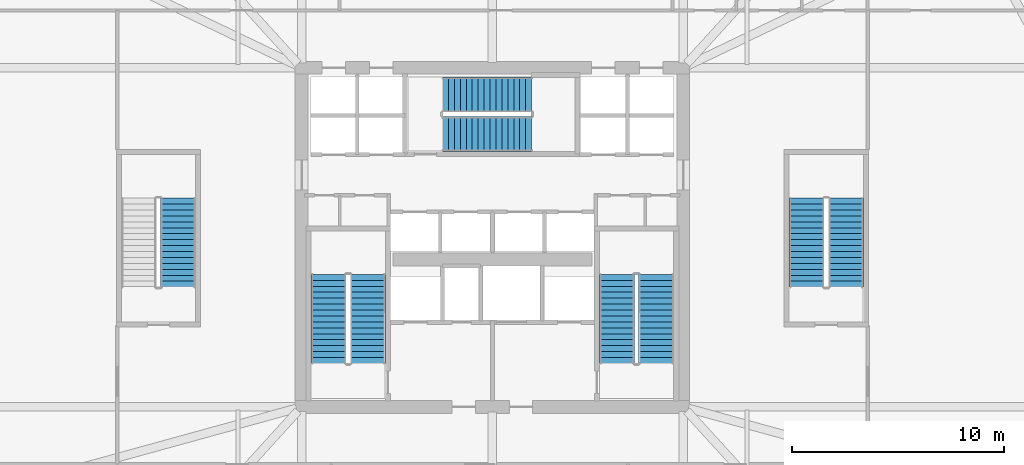
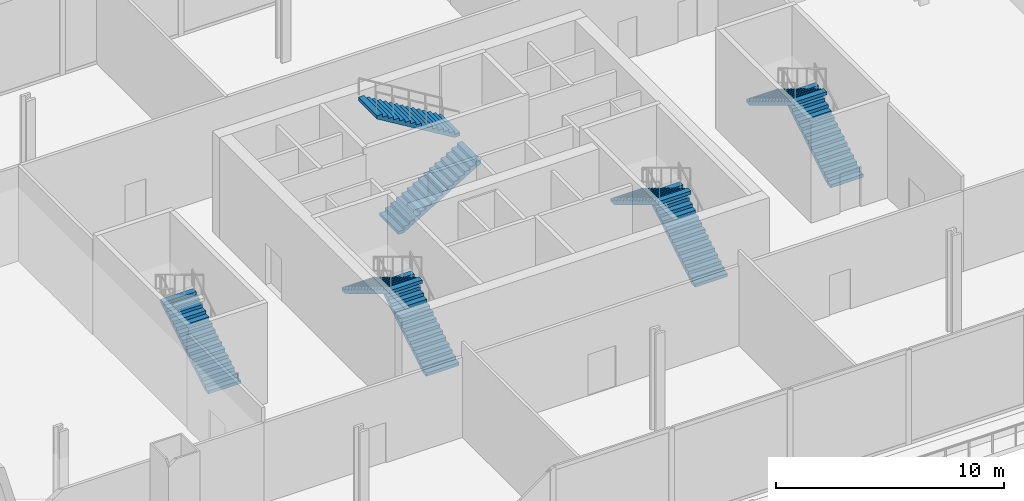
# One storey, part 13 of 20: 9 stair flights, 5 elements without a shape of their own.
"""IFC4 building model written with IfcOpenShell, lengths in metres."""

import ifcopenshell
import ifcopenshell.guid

model = None  # the IFC model being written
_history = None  # IfcOwnerHistory: only IFC2X3 demands one
_inside = {}  # id of a spatial element -> (the spatial element, [elements in it])
_under = {}  # id of a project, library or spatial element -> (it, [spatial elements below it])
_declared = {}  # id of a project -> (the project, [libraries it declares])
_typed = {}  # id of a type object -> (the type object, [elements of that type])
_made_of = {}  # id of a material, layer set ... -> (it, [elements and type objects made of it])


def new_model(schema):
    """Start an empty IFC model of exactly this schema.

    Asked for "IFC4X3", IfcOpenShell would pick the latest addendum, in which some entities
    have other attributes; the version numbers below select the first issue.
    IFC2X3 requires an IfcOwnerHistory on every rooted entity: one is made here for all.
    """
    global model, _history
    if schema == "IFC4X3":
        model = ifcopenshell.file(schema_version=(4, 3, 0, 0))
    else:
        model = ifcopenshell.file(schema=schema)
    _inside.clear()
    _under.clear()
    _declared.clear()
    _typed.clear()
    _made_of.clear()
    _history = None
    if model.schema == "IFC2X3":
        org = make("IfcOrganization", Name="unknown")
        user = make(
            "IfcPersonAndOrganization",
            ThePerson=make("IfcPerson", FamilyName="unknown"),
            TheOrganization=org,
        )
        app = make(
            "IfcApplication",
            ApplicationDeveloper=org,
            Version="unknown",
            ApplicationFullName="unknown",
            ApplicationIdentifier="unknown",
        )
        _history = make(
            "IfcOwnerHistory",
            OwningUser=user,
            OwningApplication=app,
            ChangeAction="ADDED",
            CreationDate=0,
        )
    return model


def make(cls, **values):
    """One entity of the class cls with the attributes given. An attribute that is None is left unset."""
    return model.create_entity(
        cls, **{name: value for name, value in values.items() if value is not None}
    )


def rooted(cls, **values):
    """An entity with a GlobalId (a new one), such as an element, a storey or a relation."""
    return make(cls, GlobalId=ifcopenshell.guid.new(), OwnerHistory=_history, **values)


def si_unit(unit_type, name, prefix=None):
    """IfcSIUnit, for example si_unit("LENGTHUNIT", "METRE", prefix="MILLI")."""
    return make("IfcSIUnit", UnitType=unit_type, Prefix=prefix, Name=name)


def assignment(units):
    """IfcUnitAssignment: the units of a project."""
    return None if units is None else make("IfcUnitAssignment", Units=units)


def point(xyz):
    """IfcCartesianPoint."""
    return None if xyz is None else make("IfcCartesianPoint", Coordinates=xyz)


def direction(xyz):
    """IfcDirection."""
    return None if xyz is None else make("IfcDirection", DirectionRatios=xyz)


def frame(location, z_axis=None, x_axis=None):
    """IfcAxis2Placement3D, a coordinate frame: its origin and axes. An axis left out is left unset."""
    return make(
        "IfcAxis2Placement3D",
        Location=point(location),
        Axis=direction(z_axis),
        RefDirection=direction(x_axis),
    )


def origin():
    """The frame at (0, 0, 0) with its axes left unset."""
    return frame((0.0, 0.0, 0.0))


def place(relative_to, where):
    """IfcLocalPlacement: puts the frame where relative to a parent placement (None: the world)."""
    return make(
        "IfcLocalPlacement", PlacementRelTo=relative_to, RelativePlacement=where
    )


def context(
    kind, dimensions, precision=None, world=None, true_north=None, identifier=None
):
    """IfcGeometricRepresentationContext, for example the 3D "Model" context."""
    return make(
        "IfcGeometricRepresentationContext",
        ContextIdentifier=identifier,
        ContextType=kind,
        CoordinateSpaceDimension=dimensions,
        Precision=precision,
        WorldCoordinateSystem=world,
        TrueNorth=true_north,
    )


def subcontext(parent, identifier, kind, view, scale=None):
    """IfcGeometricRepresentationSubContext, for example "Body" below "Model"."""
    return make(
        "IfcGeometricRepresentationSubContext",
        ContextIdentifier=identifier,
        ContextType=kind,
        ParentContext=parent,
        TargetScale=scale,
        TargetView=view,
    )


def project(units=None, contexts=None):
    """IfcProject with its units and contexts."""
    return rooted(
        "IfcProject",
        Name="project",
        RepresentationContexts=contexts,
        UnitsInContext=assignment(units),
    )


def spatial(cls, under=None, at=None, **own):
    """A site, building, storey or space (cls), placed at a placement, below another one or the project."""
    s = rooted(cls, ObjectPlacement=at, **own)
    if under is not None:
        _under.setdefault(under.id(), (under, []))[1].append(s)
    return s


def polyline(points):
    """IfcPolyline through the points."""
    return make("IfcPolyline", Points=[point(p) for p in points])


def outline(outer, holes=None, kind="AREA"):
    """IfcArbitraryClosedProfileDef: a profile drawn as a closed curve; with holes, ...WithVoids."""
    if holes is None:
        return make("IfcArbitraryClosedProfileDef", ProfileType=kind, OuterCurve=outer)
    return make(
        "IfcArbitraryProfileDefWithVoids",
        ProfileType=kind,
        OuterCurve=outer,
        InnerCurves=holes,
    )


def extrude(swept, where, along, depth):
    """IfcExtrudedAreaSolid: the profile swept, set in the frame where, extruded along a direction by depth."""
    return make(
        "IfcExtrudedAreaSolid",
        SweptArea=swept,
        Position=where,
        ExtrudedDirection=direction(along),
        Depth=depth,
    )


def shape(context_of_items, identifier, shape_type, items):
    """IfcShapeRepresentation: the items that make up one representation, for example the "Body"."""
    return make(
        "IfcShapeRepresentation",
        ContextOfItems=context_of_items,
        RepresentationIdentifier=identifier,
        RepresentationType=shape_type,
        Items=items,
    )


def material(Name=None, Category=None):
    """IfcMaterial."""
    return make("IfcMaterial", Name=Name, Category=Category)


def made_of(thing, what):
    """Note that an element or type object is made of a material, layer set ...; save() writes the relation."""
    if what is not None:
        _made_of.setdefault(what.id(), (what, []))[1].append(thing)
    return thing


def type_object(cls, material=None, **own):
    """A type object (cls), such as IfcWallType, which elements share."""
    return made_of(rooted(cls, **own), material)


def element(
    cls,
    number,
    at=None,
    inside=None,
    cuts=None,
    type_object=None,
    material=None,
    context=None,
    identifier="Body",
    shape_type=None,
    held_by="IfcProductDefinitionShape",
    body=None,
    shapes=None,
    **own,
):
    """One element of the class cls, such as IfcWall. Its Tag is "e" and its number.

    at: its placement. inside: the storey or other place that contains it. cuts: it is an
    opening in that element (IfcRelVoidsElement). A single representation is given by context,
    identifier, shape_type and body (its items); several are given by shapes. held_by: the class
    of the entity that holds the representations. save() writes the other relations.
    """
    e = rooted(cls, Tag="e%d" % number, ObjectPlacement=at, **own)
    if body is not None:
        shapes = [shape(context, identifier, shape_type, body)]
    if shapes is not None:
        e.Representation = make(held_by, Representations=shapes)
    if inside is not None:
        _inside.setdefault(inside.id(), (inside, []))[1].append(e)
    if cuts is not None:
        rooted(
            "IfcRelVoidsElement", RelatingBuildingElement=cuts, RelatedOpeningElement=e
        )
    if type_object is not None:
        _typed.setdefault(type_object.id(), (type_object, []))[1].append(e)
    return made_of(e, material)


def aggregate(whole, parts):
    """IfcRelAggregates: a whole, such as a stair, and the parts it consists of."""
    return rooted("IfcRelAggregates", RelatingObject=whole, RelatedObjects=parts)


def save(model, path):
    """Write the relations noted so far, then the file.

    IfcRelAggregates (storeys below a building ...), IfcRelContainedInSpatialStructure (elements
    in a storey), IfcRelDefinesByType, IfcRelAssociatesMaterial and IfcRelDeclares: one each for
    every whole, place, type object, material and project.
    """
    for whole, parts in _under.values():
        aggregate(whole, parts)
    for where, things in _inside.values():
        rooted(
            "IfcRelContainedInSpatialStructure",
            RelatedElements=things,
            RelatingStructure=where,
        )
    for kind, things in _typed.values():
        rooted("IfcRelDefinesByType", RelatedObjects=things, RelatingType=kind)
    for what, things in _made_of.values():
        rooted("IfcRelAssociatesMaterial", RelatedObjects=things, RelatingMaterial=what)
    for by, libraries in _declared.values():
        rooted("IfcRelDeclares", RelatingContext=by, RelatedDefinitions=libraries)
    model.write(path)


model = new_model("IFC4")

# Units and contexts
model_context = context("Model", 3, precision=1e-05, world=origin(), true_north=direction((0.0, 1.0)))
body_context = subcontext(model_context, "Body", "Model", "MODEL_VIEW")
ifc_project = project(units=[si_unit("LENGTHUNIT", "METRE"), si_unit("AREAUNIT", "SQUARE_METRE"), si_unit("VOLUMEUNIT", "CUBIC_METRE"), si_unit("PLANEANGLEUNIT", "RADIAN"), si_unit("MASSUNIT", "GRAM", prefix="KILO")], contexts=[model_context])

# Site, building, storey
site_placement = place(None, origin())
site = spatial("IfcSite", under=ifc_project, at=site_placement, CompositionType="ELEMENT")
building_placement = place(site_placement, origin())
building = spatial("IfcBuilding", under=site, at=building_placement, Name="Haldenkirk Collegiate Tower", CompositionType="ELEMENT")
storey_placement = place(building_placement, frame((0.0, 0.0, 6.0)))
storey = spatial("IfcBuildingStorey", under=building, at=storey_placement, Name="L01", CompositionType="ELEMENT", Elevation=6.0)

# Stair, stair flights
ifc_material = material(Name="Concrete f'c 40 MPa", Category="concrete")
stair_type = type_object("IfcStairType", Name="STR-DOGLEG-1650", PredefinedType="HALF_TURN_STAIR", material=ifc_material)
stair_1_placement = place(storey_placement, origin())
stair_1 = element("IfcStair", 1, at=stair_1_placement, inside=storey, type_object=stair_type, Name="L01 Core Exit Stair ST-1", PredefinedType="HALF_TURN_STAIR")
stair_flight_type = type_object("IfcStairFlightType", Name="STF-FLIGHT-1650", PredefinedType="STRAIGHT", material=ifc_material)
stair_flight_1_placement = place(storey_placement, frame((30.125, 20.050048828125, 0.0), z_axis=(0.0, 0.0, 1.0), x_axis=(0.0, 1.0, 0.0)))
stair_flight_1 = element("IfcStairFlight", 2, at=stair_flight_1_placement, type_object=stair_flight_type, Name="ST-1 flight 1", NumberOfRisers=16, NumberOfTreads=15, PredefinedType="STRAIGHT", RiserHeight=0.16875, TreadLength=0.28, context=body_context, shape_type="SweptSolid", body=[
    extrude(outline(polyline([(0.0, 0.0), (0.0, 0.168701171875), (0.280029296875, 0.168701171875), (0.280029296875, 0.33740234375), (0.56005859375, 0.33740234375), (0.56005859375, 0.50634765625), (0.840087890625, 0.50634765625), (0.840087890625, 0.675048828125), (1.1201171875, 0.675048828125), (1.1201171875, 0.84375), (1.39990234375, 0.84375), (1.39990234375, 1.012451171875), (1.679931640625, 1.012451171875), (1.679931640625, 1.18115234375), (1.9599609375, 1.18115234375), (1.9599609375, 1.35009765625), (2.239990234375, 1.35009765625), (2.239990234375, 1.518798828125), (2.52001953125, 1.518798828125), (2.52001953125, 1.6875), (2.800048828125, 1.6875), (2.800048828125, 1.856201171875), (3.080078125, 1.856201171875), (3.080078125, 2.02490234375), (3.360107421875, 2.02490234375), (3.360107421875, 2.19384765625), (3.639892578125, 2.19384765625), (3.639892578125, 2.362548828125), (3.919921875, 2.362548828125), (3.919921875, 2.53125), (4.199951171875, 2.53125), (4.199951171875, 2.699951171875), (4.199951171875, 2.356201171875), (0.29052734375, 0.0), (0.0, 0.0)])), frame((0.0, 0.824951171875, 0.0), z_axis=(0.0, -1.0, 0.0), x_axis=(1.0, 0.0, 0.0)), (0.0, 0.0, 1.0), 1.64990234375),
])
stair_flight_2_placement = place(storey_placement, frame((28.27490234375, 24.25, 2.699951171875), z_axis=(0.0, 0.0, 1.0), x_axis=(0.0, -1.0, 0.0)))
stair_flight_2 = element("IfcStairFlight", 3, at=stair_flight_2_placement, type_object=stair_flight_type, Name="ST-1 flight 2", NumberOfRisers=16, NumberOfTreads=15, PredefinedType="STRAIGHT", RiserHeight=0.16875, TreadLength=0.28, context=body_context, shape_type="SweptSolid", body=[
    extrude(outline(polyline([(0.0, 0.0), (0.0, 0.168701171875), (0.280029296875, 0.168701171875), (0.280029296875, 0.33740234375), (0.56005859375, 0.33740234375), (0.56005859375, 0.50634765625), (0.840087890625, 0.50634765625), (0.840087890625, 0.675048828125), (1.1201171875, 0.675048828125), (1.1201171875, 0.84375), (1.39990234375, 0.84375), (1.39990234375, 1.012451171875), (1.679931640625, 1.012451171875), (1.679931640625, 1.18115234375), (1.9599609375, 1.18115234375), (1.9599609375, 1.35009765625), (2.239990234375, 1.35009765625), (2.239990234375, 1.518798828125), (2.52001953125, 1.518798828125), (2.52001953125, 1.6875), (2.800048828125, 1.6875), (2.800048828125, 1.856201171875), (3.080078125, 1.856201171875), (3.080078125, 2.02490234375), (3.360107421875, 2.02490234375), (3.360107421875, 2.19384765625), (3.639892578125, 2.19384765625), (3.639892578125, 2.362548828125), (3.919921875, 2.362548828125), (3.919921875, 2.53125), (4.199951171875, 2.53125), (4.199951171875, 2.699951171875), (4.199951171875, 2.356201171875), (0.29052734375, 0.0), (0.0, 0.0)])), frame((0.0, 0.824951171875, 0.0), z_axis=(0.0, -1.0, 0.0), x_axis=(1.0, 0.0, 0.0)), (0.0, 0.0, 1.0), 1.64990234375),
])
aggregate(stair_1, [stair_flight_1, stair_flight_2])

stair_2_placement = place(storey_placement, origin())
stair_2 = element("IfcStair", 4, at=stair_2_placement, inside=storey, type_object=stair_type, Name="L01 Core Exit Stair ST-2", PredefinedType="HALF_TURN_STAIR")
stair_flight_3_placement = place(storey_placement, frame((43.72509765625, 20.050048828125, 0.0), z_axis=(0.0, 0.0, 1.0), x_axis=(0.0, 1.0, 0.0)))
stair_flight_3 = element("IfcStairFlight", 5, at=stair_flight_3_placement, type_object=stair_flight_type, Name="ST-2 flight 1", NumberOfRisers=16, NumberOfTreads=15, PredefinedType="STRAIGHT", RiserHeight=0.16875, TreadLength=0.28, context=body_context, shape_type="SweptSolid", body=[
    extrude(outline(polyline([(0.0, 0.0), (0.0, 0.168701171875), (0.280029296875, 0.168701171875), (0.280029296875, 0.33740234375), (0.56005859375, 0.33740234375), (0.56005859375, 0.50634765625), (0.840087890625, 0.50634765625), (0.840087890625, 0.675048828125), (1.1201171875, 0.675048828125), (1.1201171875, 0.84375), (1.39990234375, 0.84375), (1.39990234375, 1.012451171875), (1.679931640625, 1.012451171875), (1.679931640625, 1.18115234375), (1.9599609375, 1.18115234375), (1.9599609375, 1.35009765625), (2.239990234375, 1.35009765625), (2.239990234375, 1.518798828125), (2.52001953125, 1.518798828125), (2.52001953125, 1.6875), (2.800048828125, 1.6875), (2.800048828125, 1.856201171875), (3.080078125, 1.856201171875), (3.080078125, 2.02490234375), (3.360107421875, 2.02490234375), (3.360107421875, 2.19384765625), (3.639892578125, 2.19384765625), (3.639892578125, 2.362548828125), (3.919921875, 2.362548828125), (3.919921875, 2.53125), (4.199951171875, 2.53125), (4.199951171875, 2.699951171875), (4.199951171875, 2.356201171875), (0.29052734375, 0.0), (0.0, 0.0)])), frame((0.0, 0.824951171875, 0.0), z_axis=(0.0, -1.0, 0.0), x_axis=(1.0, 0.0, 0.0)), (0.0, 0.0, 1.0), 1.64990234375),
])
stair_flight_4_placement = place(storey_placement, frame((41.875, 24.25, 2.699951171875), z_axis=(0.0, 0.0, 1.0), x_axis=(0.0, -1.0, 0.0)))
stair_flight_4 = element("IfcStairFlight", 6, at=stair_flight_4_placement, type_object=stair_flight_type, Name="ST-2 flight 2", NumberOfRisers=16, NumberOfTreads=15, PredefinedType="STRAIGHT", RiserHeight=0.16875, TreadLength=0.28, context=body_context, shape_type="SweptSolid", body=[
    extrude(outline(polyline([(0.0, 0.0), (0.0, 0.168701171875), (0.280029296875, 0.168701171875), (0.280029296875, 0.33740234375), (0.56005859375, 0.33740234375), (0.56005859375, 0.50634765625), (0.840087890625, 0.50634765625), (0.840087890625, 0.675048828125), (1.1201171875, 0.675048828125), (1.1201171875, 0.84375), (1.39990234375, 0.84375), (1.39990234375, 1.012451171875), (1.679931640625, 1.012451171875), (1.679931640625, 1.18115234375), (1.9599609375, 1.18115234375), (1.9599609375, 1.35009765625), (2.239990234375, 1.35009765625), (2.239990234375, 1.518798828125), (2.52001953125, 1.518798828125), (2.52001953125, 1.6875), (2.800048828125, 1.6875), (2.800048828125, 1.856201171875), (3.080078125, 1.856201171875), (3.080078125, 2.02490234375), (3.360107421875, 2.02490234375), (3.360107421875, 2.19384765625), (3.639892578125, 2.19384765625), (3.639892578125, 2.362548828125), (3.919921875, 2.362548828125), (3.919921875, 2.53125), (4.199951171875, 2.53125), (4.199951171875, 2.699951171875), (4.199951171875, 2.356201171875), (0.29052734375, 0.0), (0.0, 0.0)])), frame((0.0, 0.824951171875, 0.0), z_axis=(0.0, -1.0, 0.0), x_axis=(1.0, 0.0, 0.0)), (0.0, 0.0, 1.0), 1.64990234375),
])
aggregate(stair_2, [stair_flight_3, stair_flight_4])

stair_3_placement = place(storey_placement, origin())
stair_3 = element("IfcStair", 7, at=stair_3_placement, inside=storey, type_object=stair_type, Name="L01 Core Exit Stair ST-3", PredefinedType="HALF_TURN_STAIR")
stair_flight_5_placement = place(storey_placement, frame((33.64990234375, 30.875, 0.0), z_axis=(0.0, 0.0, 1.0), x_axis=(1.0, 0.0, 0.0)))
stair_flight_5 = element("IfcStairFlight", 8, at=stair_flight_5_placement, type_object=stair_flight_type, Name="ST-3 flight 1", NumberOfRisers=16, NumberOfTreads=15, PredefinedType="STRAIGHT", RiserHeight=0.16875, TreadLength=0.28, context=body_context, shape_type="SweptSolid", body=[
    extrude(outline(polyline([(0.0, 0.0), (0.0, 0.168701171875), (0.280029296875, 0.168701171875), (0.280029296875, 0.33740234375), (0.56005859375, 0.33740234375), (0.56005859375, 0.50634765625), (0.840087890625, 0.50634765625), (0.840087890625, 0.675048828125), (1.1201171875, 0.675048828125), (1.1201171875, 0.84375), (1.39990234375, 0.84375), (1.39990234375, 1.012451171875), (1.679931640625, 1.012451171875), (1.679931640625, 1.18115234375), (1.9599609375, 1.18115234375), (1.9599609375, 1.35009765625), (2.239990234375, 1.35009765625), (2.239990234375, 1.518798828125), (2.52001953125, 1.518798828125), (2.52001953125, 1.6875), (2.800048828125, 1.6875), (2.800048828125, 1.856201171875), (3.080078125, 1.856201171875), (3.080078125, 2.02490234375), (3.360107421875, 2.02490234375), (3.360107421875, 2.19384765625), (3.639892578125, 2.19384765625), (3.639892578125, 2.362548828125), (3.919921875, 2.362548828125), (3.919921875, 2.53125), (4.199951171875, 2.53125), (4.199951171875, 2.699951171875), (4.199951171875, 2.356201171875), (0.29052734375, 0.0), (0.0, 0.0)])), frame((0.0, 0.824951171875, 0.0), z_axis=(0.0, -1.0, 0.0), x_axis=(1.0, 0.0, 0.0)), (0.0, 0.0, 1.0), 1.64990234375),
])
stair_flight_6_placement = place(storey_placement, frame((37.85009765625, 32.72509765625, 2.699951171875), z_axis=(0.0, 0.0, 1.0), x_axis=(-1.0, 0.0, 0.0)))
stair_flight_6 = element("IfcStairFlight", 9, at=stair_flight_6_placement, type_object=stair_flight_type, Name="ST-3 flight 2", NumberOfRisers=16, NumberOfTreads=15, PredefinedType="STRAIGHT", RiserHeight=0.16875, TreadLength=0.28, context=body_context, shape_type="SweptSolid", body=[
    extrude(outline(polyline([(0.0, 0.0), (0.0, 0.168701171875), (0.280029296875, 0.168701171875), (0.280029296875, 0.33740234375), (0.56005859375, 0.33740234375), (0.56005859375, 0.50634765625), (0.840087890625, 0.50634765625), (0.840087890625, 0.675048828125), (1.1201171875, 0.675048828125), (1.1201171875, 0.84375), (1.39990234375, 0.84375), (1.39990234375, 1.012451171875), (1.679931640625, 1.012451171875), (1.679931640625, 1.18115234375), (1.9599609375, 1.18115234375), (1.9599609375, 1.35009765625), (2.239990234375, 1.35009765625), (2.239990234375, 1.518798828125), (2.52001953125, 1.518798828125), (2.52001953125, 1.6875), (2.800048828125, 1.6875), (2.800048828125, 1.856201171875), (3.080078125, 1.856201171875), (3.080078125, 2.02490234375), (3.360107421875, 2.02490234375), (3.360107421875, 2.19384765625), (3.639892578125, 2.19384765625), (3.639892578125, 2.362548828125), (3.919921875, 2.362548828125), (3.919921875, 2.53125), (4.199951171875, 2.53125), (4.199951171875, 2.699951171875), (4.199951171875, 2.356201171875), (0.29052734375, 0.0), (0.0, 0.0)])), frame((0.0, 0.824951171875, 0.0), z_axis=(0.0, -1.0, 0.0), x_axis=(1.0, 0.0, 0.0)), (0.0, 0.0, 1.0), 1.64990234375),
])
aggregate(stair_3, [stair_flight_5, stair_flight_6])

# Stair, stair flight
stair_4_placement = place(storey_placement, origin())
stair_4 = element("IfcStair", 10, at=stair_4_placement, inside=storey, type_object=stair_type, Name="L01 Podium Exit Stair ST-4", PredefinedType="HALF_TURN_STAIR")
stair_flight_7_placement = place(storey_placement, frame((21.175048828125, 23.64990234375, 0.0), z_axis=(0.0, 0.0, 1.0), x_axis=(0.0, 1.0, 0.0)))
stair_flight_7 = element("IfcStairFlight", 11, at=stair_flight_7_placement, type_object=stair_flight_type, Name="ST-4 flight 1", NumberOfRisers=16, NumberOfTreads=15, PredefinedType="STRAIGHT", RiserHeight=0.16875, TreadLength=0.28, context=body_context, shape_type="SweptSolid", body=[
    extrude(outline(polyline([(0.0, 0.0), (0.0, 0.168701171875), (0.280029296875, 0.168701171875), (0.280029296875, 0.33740234375), (0.56005859375, 0.33740234375), (0.56005859375, 0.50634765625), (0.840087890625, 0.50634765625), (0.840087890625, 0.675048828125), (1.1201171875, 0.675048828125), (1.1201171875, 0.84375), (1.39990234375, 0.84375), (1.39990234375, 1.012451171875), (1.679931640625, 1.012451171875), (1.679931640625, 1.18115234375), (1.9599609375, 1.18115234375), (1.9599609375, 1.35009765625), (2.239990234375, 1.35009765625), (2.239990234375, 1.518798828125), (2.52001953125, 1.518798828125), (2.52001953125, 1.6875), (2.800048828125, 1.6875), (2.800048828125, 1.856201171875), (3.080078125, 1.856201171875), (3.080078125, 2.02490234375), (3.360107421875, 2.02490234375), (3.360107421875, 2.19384765625), (3.639892578125, 2.19384765625), (3.639892578125, 2.362548828125), (3.919921875, 2.362548828125), (3.919921875, 2.53125), (4.199951171875, 2.53125), (4.199951171875, 2.699951171875), (4.199951171875, 2.356201171875), (0.29052734375, 0.0), (0.0, 0.0)])), frame((0.0, 0.824951171875, 0.0), z_axis=(0.0, -1.0, 0.0), x_axis=(1.0, 0.0, 0.0)), (0.0, 0.0, 1.0), 1.64990234375),
])
aggregate(stair_4, [stair_flight_7])

# Stair, stair flights
stair_5_placement = place(storey_placement, origin())
stair_5 = element("IfcStair", 12, at=stair_5_placement, inside=storey, type_object=stair_type, Name="L01 Podium Exit Stair ST-5", PredefinedType="HALF_TURN_STAIR")
stair_flight_8_placement = place(storey_placement, frame((52.675048828125, 23.64990234375, 0.0), z_axis=(0.0, 0.0, 1.0), x_axis=(0.0, 1.0, 0.0)))
stair_flight_8 = element("IfcStairFlight", 13, at=stair_flight_8_placement, type_object=stair_flight_type, Name="ST-5 flight 1", NumberOfRisers=16, NumberOfTreads=15, PredefinedType="STRAIGHT", RiserHeight=0.16875, TreadLength=0.28, context=body_context, shape_type="SweptSolid", body=[
    extrude(outline(polyline([(0.0, 0.0), (0.0, 0.168701171875), (0.280029296875, 0.168701171875), (0.280029296875, 0.33740234375), (0.56005859375, 0.33740234375), (0.56005859375, 0.50634765625), (0.840087890625, 0.50634765625), (0.840087890625, 0.675048828125), (1.1201171875, 0.675048828125), (1.1201171875, 0.84375), (1.39990234375, 0.84375), (1.39990234375, 1.012451171875), (1.679931640625, 1.012451171875), (1.679931640625, 1.18115234375), (1.9599609375, 1.18115234375), (1.9599609375, 1.35009765625), (2.239990234375, 1.35009765625), (2.239990234375, 1.518798828125), (2.52001953125, 1.518798828125), (2.52001953125, 1.6875), (2.800048828125, 1.6875), (2.800048828125, 1.856201171875), (3.080078125, 1.856201171875), (3.080078125, 2.02490234375), (3.360107421875, 2.02490234375), (3.360107421875, 2.19384765625), (3.639892578125, 2.19384765625), (3.639892578125, 2.362548828125), (3.919921875, 2.362548828125), (3.919921875, 2.53125), (4.199951171875, 2.53125), (4.199951171875, 2.699951171875), (4.199951171875, 2.356201171875), (0.29052734375, 0.0), (0.0, 0.0)])), frame((0.0, 0.824951171875, 0.0), z_axis=(0.0, -1.0, 0.0), x_axis=(1.0, 0.0, 0.0)), (0.0, 0.0, 1.0), 1.64990234375),
])
stair_flight_9_placement = place(storey_placement, frame((50.824951171875, 27.85009765625, 2.699951171875), z_axis=(0.0, 0.0, 1.0), x_axis=(0.0, -1.0, 0.0)))
stair_flight_9 = element("IfcStairFlight", 14, at=stair_flight_9_placement, type_object=stair_flight_type, Name="ST-5 flight 2", NumberOfRisers=16, NumberOfTreads=15, PredefinedType="STRAIGHT", RiserHeight=0.16875, TreadLength=0.28, context=body_context, shape_type="SweptSolid", body=[
    extrude(outline(polyline([(0.0, 0.0), (0.0, 0.168701171875), (0.280029296875, 0.168701171875), (0.280029296875, 0.33740234375), (0.56005859375, 0.33740234375), (0.56005859375, 0.50634765625), (0.840087890625, 0.50634765625), (0.840087890625, 0.675048828125), (1.1201171875, 0.675048828125), (1.1201171875, 0.84375), (1.39990234375, 0.84375), (1.39990234375, 1.012451171875), (1.679931640625, 1.012451171875), (1.679931640625, 1.18115234375), (1.9599609375, 1.18115234375), (1.9599609375, 1.35009765625), (2.239990234375, 1.35009765625), (2.239990234375, 1.518798828125), (2.52001953125, 1.518798828125), (2.52001953125, 1.6875), (2.800048828125, 1.6875), (2.800048828125, 1.856201171875), (3.080078125, 1.856201171875), (3.080078125, 2.02490234375), (3.360107421875, 2.02490234375), (3.360107421875, 2.19384765625), (3.639892578125, 2.19384765625), (3.639892578125, 2.362548828125), (3.919921875, 2.362548828125), (3.919921875, 2.53125), (4.199951171875, 2.53125), (4.199951171875, 2.699951171875), (4.199951171875, 2.356201171875), (0.29052734375, 0.0), (0.0, 0.0)])), frame((0.0, 0.824951171875, 0.0), z_axis=(0.0, -1.0, 0.0), x_axis=(1.0, 0.0, 0.0)), (0.0, 0.0, 1.0), 1.64990234375),
])
aggregate(stair_5, [stair_flight_8, stair_flight_9])

save(model, "model.ifc")
